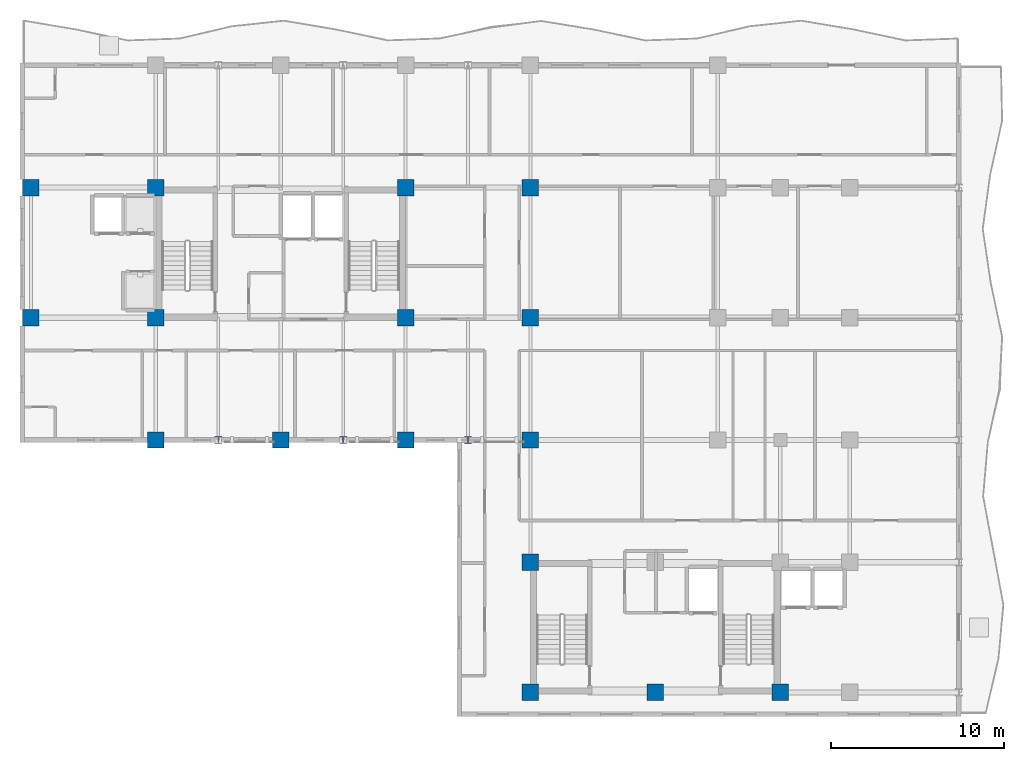
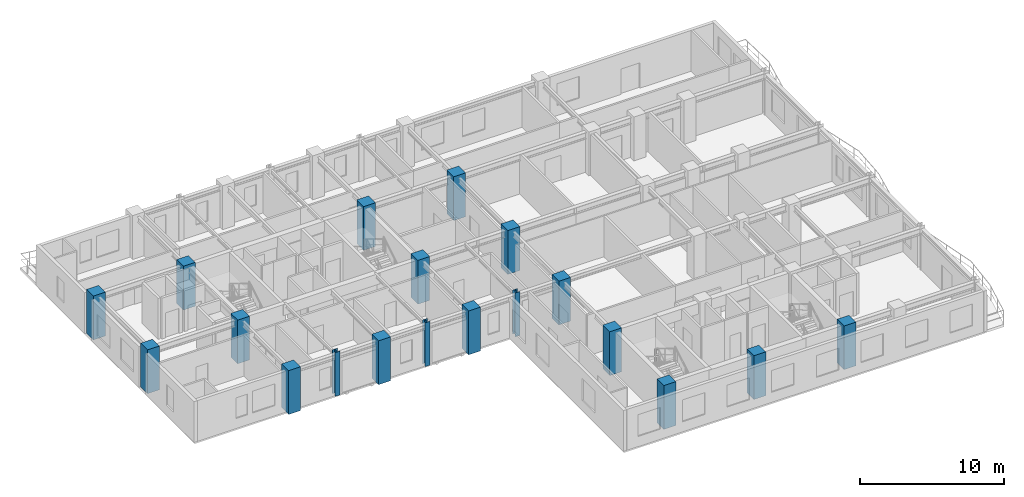
# One storey, part 1 of 14: 19 columns.
"""IFC4 building model written with IfcOpenShell, lengths in metres."""

from ifc_helpers import new_model, si_unit, direction, frame, origin, origin_2d, place, context, subcontext, project, spatial, rectangle, i_section, extrude, source, transform, mapped, material, material_profile, profile_set, type_object, element, save


model = new_model("IFC4")

# Units and contexts
model_context = context("Model", 3, precision=1e-05, world=origin(), true_north=direction((0.0, 1.0)))
body_context = subcontext(model_context, "Body", "Model", "MODEL_VIEW")
ifc_project = project(units=[si_unit("LENGTHUNIT", "METRE"), si_unit("AREAUNIT", "SQUARE_METRE"), si_unit("VOLUMEUNIT", "CUBIC_METRE"), si_unit("PLANEANGLEUNIT", "RADIAN"), si_unit("MASSUNIT", "GRAM", prefix="KILO")], contexts=[model_context])

# Site, building, storey
site_placement = place(None, origin())
site = spatial("IfcSite", under=ifc_project, at=site_placement, CompositionType="ELEMENT")
building_placement = place(site_placement, origin())
building = spatial("IfcBuilding", under=site, at=building_placement, Name="Kaliganga Portal Commons", CompositionType="ELEMENT")
storey_placement = place(building_placement, frame((0.0, 0.0, 220.300048828125)))
storey = spatial("IfcBuildingStorey", under=building, at=storey_placement, Name="L56", CompositionType="ELEMENT", Elevation=220.300048828125)

# Columns
ifc_material_1 = material(Name="Concrete C50/60", Category="concrete")
ifc_material_profile_1 = material_profile(ifc_material_1, rectangle(XDim=0.949951171875, YDim=0.949951171875, at=origin_2d()), Name="RC 950x950")
ifc_profile_set_1 = profile_set([ifc_material_profile_1], Name="Concrete C50/60")
column_type_1 = type_object("IfcColumnType", Name="COL-MEGA-Z4", PredefinedType="COLUMN", material=ifc_profile_set_1)
shared_shape_1 = source(origin(), body_context, "Body", "SweptSolid", [
    extrude(rectangle(XDim=0.949951171875, YDim=0.949951171875, at=origin_2d()), origin(), (0.0, 0.0, 1.0), 3.699951171875),
])
for number, where, z_axis, x_axis, name in (
    (1, (7.199951171875, 28.64990234375, 0.0), (0.0, 0.0, 1.0), (1.0, 0.0, 0.0), "Column MC-05 L56"),
    (2, (7.199951171875, 36.14990234375, 0.0), (0.0, 0.0, 1.0), (1.0, 0.0, 0.0), "Column MC-05 L56"),
    (3, (14.39990234375, 21.60009765625, 0.0), (0.0, 0.0, 1.0), (1.0, 0.0, 0.0), "Column MC-05 L56"),
    (4, (14.39990234375, 28.64990234375, 0.0), (0.0, 0.0, 1.0), (1.0, 0.0, 0.0), "Column MC-05 L56"),
    (5, (14.39990234375, 36.14990234375, 0.0), (0.0, 0.0, 1.0), (1.0, 0.0, 0.0), "Column MC-05 L56"),
    (6, (21.60009765625, 21.60009765625, 0.0), (0.0, 0.0, 1.0), (1.0, 0.0, 0.0), "Column MC-05 L56"),
    (7, (28.800048828125, 21.60009765625, 0.0), (0.0, 0.0, 1.0), (1.0, 0.0, 0.0), "Column MC-05 L56"),
    (8, (28.800048828125, 28.64990234375, 0.0), (0.0, 0.0, 1.0), (1.0, 0.0, 0.0), "Column MC-05 L56"),
    (9, (28.800048828125, 36.14990234375, 0.0), (0.0, 0.0, 1.0), (1.0, 0.0, 0.0), "Column MC-05 L56"),
    (10, (36.0, 21.60009765625, 0.0), (0.0, 0.0, 1.0), (1.0, 0.0, 0.0), "Column MC-05 L56"),
    (11, (36.0, 28.64990234375, 0.0), (0.0, 0.0, 1.0), (1.0, 0.0, 0.0), "Column MC-05 L56"),
    (12, (36.0, 36.14990234375, 0.0), (0.0, 0.0, 1.0), (1.0, 0.0, 0.0), "Column MC-05 L56"),
    (13, (36.0, 7.050048828125, 0.0), (0.0, 0.0, 1.0), (1.0, 0.0, 0.0), "Column MC-05 L56"),
    (14, (36.0, 14.550048828125, 0.0), (0.0, 0.0, 1.0), (1.0, 0.0, 0.0), "Column MC-05 L56"),
    (15, (43.199951171875, 7.050048828125, 0.0), (0.0, 0.0, 1.0), (1.0, 0.0, 0.0), "Column MC-05 L56"),
    (16, (50.39990234375, 7.050048828125, 0.0), (0.0, 0.0, 1.0), (1.0, 0.0, 0.0), "Column MC-05 L56"),
):
    element("IfcColumn", number, at=place(storey_placement, frame(where, z_axis=z_axis, x_axis=x_axis)), inside=storey, type_object=column_type_1, Name=name, PredefinedType="COLUMN", context=body_context, shape_type="MappedRepresentation", body=[
        mapped(shared_shape_1, transform((0.0, 0.0, 0.0), x_axis=(1.0, 0.0, 0.0), y_axis=(0.0, 1.0, 0.0), z_axis=(0.0, 0.0, 1.0), scale=1.0)),
    ])
ifc_material_2 = material(Name="Structural steel S355J2", Category="steel")
ifc_material_profile_2 = material_profile(ifc_material_2, i_section(OverallWidth=0.39892578125, OverallDepth=0.39990234375, WebThickness=0.017333984375, FlangeThickness=0.0234375, FilletRadius=0.014892578125, at=origin_2d()), Name="HD 400x287")
ifc_profile_set_2 = profile_set([ifc_material_profile_2], Name="Structural steel S355J2 wide-flange")
column_type_2 = type_object("IfcColumnType", Name="COL-TUBE-B4", PredefinedType="COLUMN", material=ifc_profile_set_2)
shared_shape_2 = source(origin(), body_context, "Body", "SweptSolid", [
    extrude(i_section(OverallWidth=0.39892578125, OverallDepth=0.39990234375, WebThickness=0.017333984375, FlangeThickness=0.0234375, FilletRadius=0.014892578125, at=origin_2d()), origin(), (0.0, 0.0, 1.0), 3.699951171875),
])
for number, where, z_axis, x_axis, name in (
    (17, (18.0, 21.60009765625, 0.0), (0.0, 0.0, 1.0), (1.0, 0.0, 0.0), "Column TC-04 L56"),
    (18, (25.199951171875, 21.60009765625, 0.0), (0.0, 0.0, 1.0), (1.0, 0.0, 0.0), "Column TC-04 L56"),
    (19, (32.39990234375, 21.60009765625, 0.0), (0.0, 0.0, 1.0), (1.0, 0.0, 0.0), "Column TC-04 L56"),
):
    element("IfcColumn", number, at=place(storey_placement, frame(where, z_axis=z_axis, x_axis=x_axis)), inside=storey, type_object=column_type_2, Name=name, PredefinedType="COLUMN", context=body_context, shape_type="MappedRepresentation", body=[
        mapped(shared_shape_2, transform((0.0, 0.0, 0.0), x_axis=(1.0, 0.0, 0.0), y_axis=(0.0, 1.0, 0.0), z_axis=(0.0, 0.0, 1.0), scale=1.0)),
    ])

save(model, "model.ifc")
